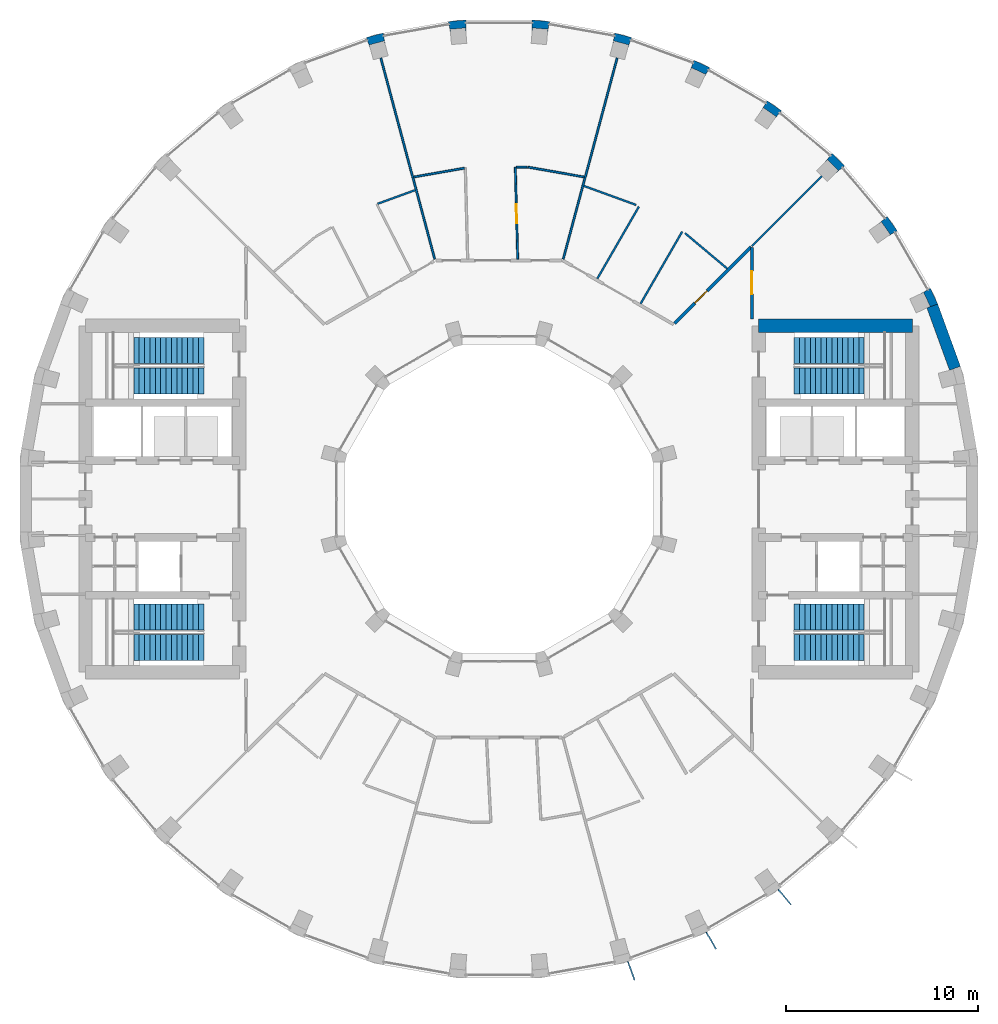
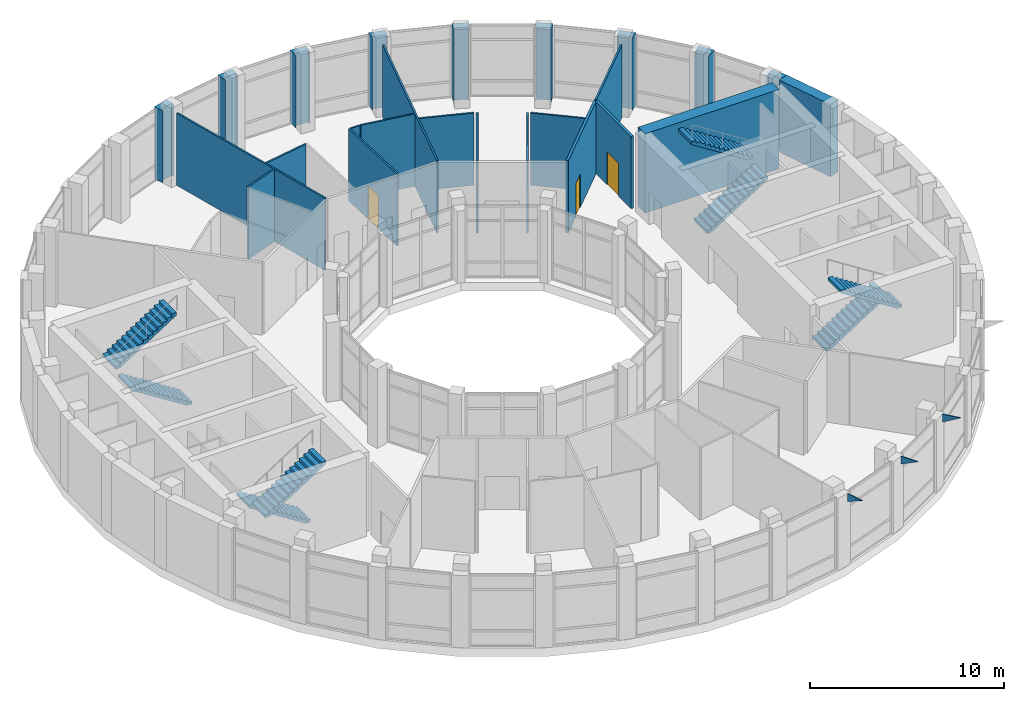
# One storey, part 15 of 18: 25 walls, 8 stair flights, 3 discrete accessories, 3 doors, 3 openings, 4 elements without a shape of their own.
"""IFC4 building model written with IfcOpenShell, lengths in metres."""

from ifc_helpers import new_model, si_unit, direction, frame, frame_2d, origin, place, context, subcontext, project, spatial, polyline, rectangle, outline, extrude, material, layer, layer_set, type_object, element, fill, aggregate, save


model = new_model("IFC4")

# Units and contexts
model_context = context("Model", 3, precision=1e-05, world=origin(), true_north=direction((0.0, 1.0)))
body_context = subcontext(model_context, "Body", "Model", "MODEL_VIEW")
ifc_project = project(units=[si_unit("LENGTHUNIT", "METRE"), si_unit("AREAUNIT", "SQUARE_METRE"), si_unit("VOLUMEUNIT", "CUBIC_METRE"), si_unit("PLANEANGLEUNIT", "RADIAN"), si_unit("MASSUNIT", "GRAM", prefix="KILO")], contexts=[model_context])

# Site, building, storey
site_placement = place(None, origin())
site = spatial("IfcSite", under=ifc_project, at=site_placement, CompositionType="ELEMENT")
building_placement = place(site_placement, origin())
building = spatial("IfcBuilding", under=site, at=building_placement, Name="Saqina Gate Tower", CompositionType="ELEMENT")
storey_placement = place(building_placement, frame((0.0, 0.0, 155.800048828125)))
storey = spatial("IfcBuildingStorey", under=building, at=storey_placement, Name="L44", CompositionType="ELEMENT", Elevation=155.800048828125)

# Walls
ifc_material_1 = material(Name="Brick masonry (buff)", Category="masonry")
wall_type_1 = type_object("IfcWallType", Name="BRICK PIER COPING BUFF", PredefinedType="SOLIDWALL", material=ifc_material_1)
wall_1_placement = place(storey_placement, origin())
element("IfcWall", 1, at=wall_1_placement, inside=storey, type_object=wall_type_1, Name="Pier cap L44 column 3", PredefinedType="SOLIDWALL", context=body_context, shape_type="SweptSolid", body=[
    extrude(outline(polyline([(22.4306640625, 10.958740234375), (21.9111328125, 10.65869140625), (22.080810546875, 10.73779296875), (22.4189453125, 10.0126953125), (22.249267578125, 9.93359375), (22.81298828125, 10.138916015625), (22.4306640625, 10.958740234375)])), origin(), (0.0, 0.0, 1.0), 4.550048828125),
])
wall_2_placement = place(storey_placement, origin())
element("IfcWall", 2, at=wall_2_placement, inside=storey, type_object=wall_type_1, Name="Pier cap L44 column 4", PredefinedType="SOLIDWALL", context=body_context, shape_type="SweptSolid", body=[
    extrude(outline(polyline([(20.705810546875, 13.9462890625), (20.18701171875, 14.687255859375), (19.727294921875, 14.301513671875), (19.880859375, 14.408935546875), (20.339599609375, 13.753662109375), (20.186279296875, 13.646240234375), (20.705810546875, 13.9462890625)])), origin(), (0.0, 0.0, 1.0), 4.550048828125),
])
wall_3_placement = place(storey_placement, origin())
element("IfcWall", 3, at=wall_3_placement, inside=storey, type_object=wall_type_1, Name="Pier cap L44 column 5", PredefinedType="SOLIDWALL", context=body_context, shape_type="SweptSolid", body=[
    extrude(outline(polyline([(17.329833984375, 17.969482421875), (16.944091796875, 17.510009765625), (17.07666015625, 17.642333984375), (17.642333984375, 17.07666015625), (17.510009765625, 16.944091796875), (17.969482421875, 17.329833984375), (17.329833984375, 17.969482421875)])), origin(), (0.0, 0.0, 1.0), 4.550048828125),
])
wall_4_placement = place(storey_placement, origin())
element("IfcWall", 4, at=wall_4_placement, inside=storey, type_object=wall_type_1, Name="Pier cap L44 column 6", PredefinedType="SOLIDWALL", context=body_context, shape_type="SweptSolid", body=[
    extrude(outline(polyline([(14.687255859375, 20.18701171875), (13.9462890625, 20.705810546875), (13.646240234375, 20.186279296875), (13.753662109375, 20.339599609375), (14.408935546875, 19.880859375), (14.301513671875, 19.727294921875), (14.687255859375, 20.18701171875)])), origin(), (0.0, 0.0, 1.0), 4.550048828125),
])
wall_5_placement = place(storey_placement, origin())
element("IfcWall", 5, at=wall_5_placement, inside=storey, type_object=wall_type_1, Name="Pier cap L44 column 7", PredefinedType="SOLIDWALL", context=body_context, shape_type="SweptSolid", body=[
    extrude(outline(polyline([(10.138916015625, 22.81298828125), (9.93359375, 22.249267578125), (10.0126953125, 22.4189453125), (10.73779296875, 22.080810546875), (10.65869140625, 21.9111328125), (10.958740234375, 22.4306640625), (10.138916015625, 22.81298828125)])), origin(), (0.0, 0.0, 1.0), 4.550048828125),
])
wall_6_placement = place(storey_placement, origin())
element("IfcWall", 6, at=wall_6_placement, inside=storey, type_object=wall_type_1, Name="Pier cap L44 column 8", PredefinedType="SOLIDWALL", context=body_context, shape_type="SweptSolid", body=[
    extrude(outline(polyline([(6.0234375, 24.22705078125), (5.919189453125, 23.635986328125), (5.967529296875, 23.81689453125), (6.740478515625, 23.610107421875), (6.69189453125, 23.428955078125), (6.897216796875, 23.992919921875), (6.0234375, 24.22705078125)])), origin(), (0.0, 0.0, 1.0), 4.550048828125),
])
wall_7_placement = place(storey_placement, origin())
element("IfcWall", 7, at=wall_7_placement, inside=storey, type_object=wall_type_1, Name="Pier cap L44 column 9", PredefinedType="SOLIDWALL", context=body_context, shape_type="SweptSolid", body=[
    extrude(outline(polyline([(2.6259765625, 24.825927734375), (1.724853515625, 24.90478515625), (1.724853515625, 24.304931640625), (1.7412109375, 24.491455078125), (2.5380859375, 24.421630859375), (2.521728515625, 24.235107421875), (2.6259765625, 24.825927734375)])), origin(), (0.0, 0.0, 1.0), 4.550048828125),
])
wall_8_placement = place(storey_placement, origin())
element("IfcWall", 8, at=wall_8_placement, inside=storey, type_object=wall_type_1, Name="Pier cap L44 column 10", PredefinedType="SOLIDWALL", context=body_context, shape_type="SweptSolid", body=[
    extrude(outline(polyline([(-1.724853515625, 24.90478515625), (-2.6259765625, 24.825927734375), (-2.521728515625, 24.235107421875), (-2.5380859375, 24.421630859375), (-1.7412109375, 24.491455078125), (-1.724853515625, 24.304931640625), (-1.724853515625, 24.90478515625)])), origin(), (0.0, 0.0, 1.0), 4.550048828125),
])
wall_9_placement = place(storey_placement, origin())
element("IfcWall", 9, at=wall_9_placement, inside=storey, type_object=wall_type_1, Name="Pier cap L44 column 11", PredefinedType="SOLIDWALL", context=body_context, shape_type="SweptSolid", body=[
    extrude(outline(polyline([(-6.0234375, 24.22705078125), (-6.897216796875, 23.992919921875), (-6.69189453125, 23.428955078125), (-6.740478515625, 23.610107421875), (-5.967529296875, 23.81689453125), (-5.919189453125, 23.635986328125), (-6.0234375, 24.22705078125)])), origin(), (0.0, 0.0, 1.0), 4.550048828125),
])
ifc_material_2 = material(Name="Glazed ceramic tile (dark blue)", Category="ceramic")
ifc_layer_1 = layer(ifc_material_2, 0.60009765625)
ifc_layer_set_1 = layer_set([ifc_layer_1], Name="FW-TILE-CB")
wall_type_2 = type_object("IfcWallType", Name="FW-TILE-CB", PredefinedType="SOLIDWALL", material=ifc_layer_set_1)
wall_10_placement = place(storey_placement, frame((23.7109375, 6.79443359375, 0.0), z_axis=(0.0, 0.0, 1.0), x_axis=(-0.342032843455, 0.93968799822, 0.0)))
element("IfcWall", 10, at=wall_10_placement, inside=storey, type_object=wall_type_2, Name="Facade wall L44 facet 2", PredefinedType="SOLIDWALL", context=body_context, shape_type="SweptSolid", body=[
    extrude(rectangle(XDim=3.44970703125, YDim=0.60009765625, at=frame_2d((1.724853515625, 0.0))), origin(), (0.0, 0.0, 1.0), 4.550048828125),
])

# Wall, opening, door
ifc_material_3 = material(Name="Gypsum board on steel studs, 100 mm", Category="steel")
ifc_layer_2 = layer(ifc_material_3, 0.10009765625)
ifc_layer_set_2 = layer_set([ifc_layer_2], Name="SPECIAL PARTITION 100")
wall_type_3 = type_object("IfcWallType", Name="SPECIAL PARTITION 100", PredefinedType="PARTITIONING", material=ifc_layer_set_2)
wall_11_placement = place(storey_placement, frame((0.84912109375, 17.2548828125, 0.0), z_axis=(0.0, 0.0, 1.0), x_axis=(0.0261428648, -0.999658216902, 0.0)))
wall_11 = element("IfcWall", 11, at=wall_11_placement, inside=storey, type_object=wall_type_3, Name="PARTITION 002", PredefinedType="PARTITIONING", context=body_context, shape_type="SweptSolid", body=[
    extrude(rectangle(XDim=4.781494140625, YDim=0.10009765625, at=frame_2d((2.390625, 0.0))), origin(), (0.0, 0.0, 1.0), 4.550048828125),
])
opening_1_placement = place(wall_11_placement, frame((1.92822265625, 0.0, 0.0)))
opening_1 = element("IfcOpeningElement", 12, at=opening_1_placement, cuts=wall_11, Name="Opening L44-D06", PredefinedType="OPENING", context=body_context, shape_type="SweptSolid", body=[
    extrude(rectangle(XDim=1.0, YDim=2.10009765625, at=frame_2d((0.5, 1.050048828125))), frame((0.0, 0.06201171875, 0.0), z_axis=(0.0, -1.0, 0.0), x_axis=(1.0, 0.0, 0.0)), (0.0, 0.0, 1.0), 0.1240234375),
])
ifc_material_4 = material(Name="Timber door leaf", Category="wood")
door_type_1 = type_object("IfcDoorType", Name="SPECIAL DOOR 1000 TIMBER", OperationType="SINGLE_SWING_LEFT", PredefinedType="DOOR", material=ifc_material_4)
door_1_placement = place(opening_1_placement, frame((1.0, 0.0, 0.0), z_axis=(0.0, 0.0, 1.0), x_axis=(-1.0, 0.0, 0.0)))
door_1 = element("IfcDoor", 13, at=door_1_placement, inside=storey, type_object=door_type_1, Name="DOOR L44-D06", OperationType="SINGLE_SWING_LEFT", OverallHeight=2.10009765625, OverallWidth=1.0, PredefinedType="DOOR", context=body_context, shape_type="SweptSolid", body=[
    extrude(rectangle(XDim=1.0, YDim=2.10009765625, at=frame_2d((0.5, 1.050048828125))), frame((0.0, 0.02490234375, 0.0), z_axis=(0.0, -1.0, 0.0), x_axis=(1.0, 0.0, 0.0)), (0.0, 0.0, 1.0), 0.050048828125),
])
fill(opening_1, door_1)

# Walls
wall_12_placement = place(storey_placement, frame((-6.143798828125, 22.931396484375, 0.0), z_axis=(0.0, 0.0, 1.0), x_axis=(0.258715046682, -0.965953686582, 0.0)))
element("IfcWall", 14, at=wall_12_placement, inside=storey, type_object=wall_type_3, Name="PARTITION 005", PredefinedType="PARTITIONING", context=body_context, shape_type="SweptSolid", body=[
    extrude(rectangle(XDim=10.82763671875, YDim=0.10009765625, at=frame_2d((5.413818359375, 0.0))), origin(), (0.0, 0.0, 1.0), 4.550048828125),
])
wall_13_placement = place(storey_placement, frame((9.676025390625, 13.818115234375, 0.0), z_axis=(0.0, 0.0, 1.0), x_axis=(0.765988490515, -0.64285428551, 0.0)))
element("IfcWall", 15, at=wall_13_placement, inside=storey, type_object=wall_type_3, Name="PARTITION 016", PredefinedType="PARTITIONING", context=body_context, shape_type="SweptSolid", body=[
    extrude(rectangle(XDim=2.864990234375, YDim=0.10009765625, at=frame_2d((1.4326171875, 0.0))), origin(), (0.0, 0.0, 1.0), 4.550048828125),
])
wall_14_placement = place(storey_placement, frame((4.4130859375, 16.27685546875, 0.0), z_axis=(0.0, 0.0, 1.0), x_axis=(0.939768755, -0.341810893809, 0.0)))
element("IfcWall", 16, at=wall_14_placement, inside=storey, type_object=wall_type_3, Name="PARTITION 020", PredefinedType="PARTITIONING", context=body_context, shape_type="SweptSolid", body=[
    extrude(rectangle(XDim=2.889892578125, YDim=0.10009765625, at=frame_2d((1.44482421875, 0.0))), origin(), (0.0, 0.0, 1.0), 4.550048828125),
])
wall_15_placement = place(storey_placement, frame((1.510009765625, 17.2548828125, 0.0), z_axis=(0.0, 0.0, 1.0), x_axis=(0.984831536916, -0.173513238385, 0.0)))
element("IfcWall", 17, at=wall_15_placement, inside=storey, type_object=wall_type_3, Name="PARTITION 022", PredefinedType="PARTITIONING", context=body_context, shape_type="SweptSolid", body=[
    extrude(rectangle(XDim=2.96875, YDim=0.10009765625, at=frame_2d((1.484375, 0.0))), origin(), (0.0, 0.0, 1.0), 4.550048828125),
])
wall_16_placement = place(storey_placement, frame((0.89892578125, 17.2548828125, 0.0), z_axis=(0.0, 0.0, 1.0), x_axis=(1.0, 0.0, 0.0)))
element("IfcWall", 18, at=wall_16_placement, inside=storey, type_object=wall_type_3, Name="PARTITION 026", PredefinedType="PARTITIONING", context=body_context, shape_type="SweptSolid", body=[
    extrude(rectangle(XDim=0.56103515625, YDim=0.10009765625, at=frame_2d((0.280517578125, 0.0))), origin(), (0.0, 0.0, 1.0), 4.550048828125),
])
wall_17_placement = place(storey_placement, frame((-4.433837890625, 16.73974609375, 0.0), z_axis=(0.0, 0.0, 1.0), x_axis=(0.984855167118, 0.173379063906, 0.0)))
element("IfcWall", 19, at=wall_17_placement, inside=storey, type_object=wall_type_3, Name="PARTITION 028", PredefinedType="PARTITIONING", context=body_context, shape_type="SweptSolid", body=[
    extrude(rectangle(XDim=2.674072265625, YDim=0.10009765625, at=frame_2d((1.3369140625, 0.0))), origin(), (0.0, 0.0, 1.0), 4.550048828125),
])
wall_18_placement = place(storey_placement, frame((-6.305908203125, 15.34912109375, 0.0), z_axis=(0.0, 0.0, 1.0), x_axis=(0.939748778635, 0.341865811474, 0.0)))
element("IfcWall", 20, at=wall_18_placement, inside=storey, type_object=wall_type_3, Name="PARTITION 030", PredefinedType="PARTITIONING", context=body_context, shape_type="SweptSolid", body=[
    extrude(rectangle(XDim=2.075927734375, YDim=0.10009765625, at=frame_2d((1.0380859375, 0.0))), origin(), (0.0, 0.0, 1.0), 4.550048828125),
])
wall_19_placement = place(storey_placement, frame((13.14990234375, 13.14990234375, 0.0), z_axis=(0.0, 0.0, 1.0), x_axis=(0.707106781187, 0.707106781187, 0.0)))
element("IfcWall", 21, at=wall_19_placement, inside=storey, type_object=wall_type_3, Name="PARTITION 037", PredefinedType="PARTITIONING", context=body_context, shape_type="SweptSolid", body=[
    extrude(rectangle(XDim=5.14306640625, YDim=0.10009765625, at=frame_2d((2.571533203125, 0.0))), origin(), (0.0, 0.0, 1.0), 4.550048828125),
])
wall_20_placement = place(storey_placement, frame((7.363525390625, 10.153076171875, 0.0), z_axis=(0.0, 0.0, 1.0), x_axis=(0.499911184982, 0.866076675087, 0.0)))
element("IfcWall", 22, at=wall_20_placement, inside=storey, type_object=wall_type_3, Name="PARTITION 041", PredefinedType="PARTITIONING", context=body_context, shape_type="SweptSolid", body=[
    extrude(rectangle(XDim=4.329833984375, YDim=0.10009765625, at=frame_2d((2.1650390625, 0.0))), origin(), (0.0, 0.0, 1.0), 4.550048828125),
])
wall_21_placement = place(storey_placement, frame((5.111572265625, 11.453857421875, 0.0), z_axis=(0.0, 0.0, 1.0), x_axis=(0.500178009373, 0.865922605629, 0.0)))
element("IfcWall", 23, at=wall_21_placement, inside=storey, type_object=wall_type_3, Name="PARTITION 043", PredefinedType="PARTITIONING", context=body_context, shape_type="SweptSolid", body=[
    extrude(rectangle(XDim=4.32958984375, YDim=0.10009765625, at=frame_2d((2.164794921875, 0.0))), origin(), (0.0, 0.0, 1.0), 4.550048828125),
])
wall_22_placement = place(storey_placement, frame((3.34228515625, 12.472412109375, 0.0), z_axis=(0.0, 0.0, 1.0), x_axis=(0.258741720617, 0.965946542005, 0.0)))
element("IfcWall", 24, at=wall_22_placement, inside=storey, type_object=wall_type_3, Name="PARTITION 045", PredefinedType="PARTITIONING", context=body_context, shape_type="SweptSolid", body=[
    extrude(rectangle(XDim=10.827392578125, YDim=0.10009765625, at=frame_2d((5.41357421875, 0.0))), origin(), (0.0, 0.0, 1.0), 4.550048828125),
])

# Wall, opening, door
ifc_material_5 = material(Name="Gypsum board on steel studs, 150 mm, fire rated", Category="steel")
ifc_layer_3 = layer(ifc_material_5, 0.14990234375)
ifc_layer_set_3 = layer_set([ifc_layer_3], Name="SPECIAL PARTITION EI 30 150")
wall_type_4 = type_object("IfcWallType", Name="SPECIAL PARTITION EI 30 150", PredefinedType="PARTITIONING", material=ifc_layer_set_3)
wall_23_placement = place(storey_placement, frame((9.1298828125, 9.1298828125, 0.0), z_axis=(0.0, 0.0, 1.0), x_axis=(0.707106781187, 0.707106781187, 0.0)))
wall_23 = element("IfcWall", 25, at=wall_23_placement, inside=storey, type_object=wall_type_4, Name="PARTITION 039", PredefinedType="PARTITIONING", context=body_context, shape_type="SweptSolid", body=[
    extrude(rectangle(XDim=5.635009765625, YDim=0.14990234375, at=frame_2d((2.8173828125, 0.0))), origin(), (0.0, 0.0, 1.0), 4.550048828125),
])
opening_2_placement = place(wall_23_placement, frame((1.490966796875, 0.0, 0.0)))
opening_2 = element("IfcOpeningElement", 26, at=opening_2_placement, cuts=wall_23, Name="Opening L44-D02", PredefinedType="OPENING", context=body_context, shape_type="SweptSolid", body=[
    extrude(rectangle(XDim=0.89990234375, YDim=2.10009765625, at=frame_2d((0.449951171875, 1.050048828125))), frame((0.0, 0.0869140625, 0.0), z_axis=(0.0, -1.0, 0.0), x_axis=(1.0, 0.0, 0.0)), (0.0, 0.0, 1.0), 0.173828125),
])
ifc_material_6 = material(Name="Steel-framed fire door leaf, EI 30", Category="steel")
door_type_2 = type_object("IfcDoorType", Name="SPECIAL DOOR 900 FIRE EI 30", OperationType="SINGLE_SWING_LEFT", PredefinedType="DOOR", material=ifc_material_6)
door_2_placement = place(opening_2_placement, origin())
door_2 = element("IfcDoor", 27, at=door_2_placement, inside=storey, type_object=door_type_2, Name="DOOR L44-D02", OperationType="SINGLE_SWING_LEFT", OverallHeight=2.10009765625, OverallWidth=0.89990234375, PredefinedType="DOOR", context=body_context, shape_type="SweptSolid", body=[
    extrude(rectangle(XDim=0.89990234375, YDim=2.10009765625, at=frame_2d((0.449951171875, 1.050048828125))), frame((0.0, 0.02490234375, 0.0), z_axis=(0.0, -1.0, 0.0), x_axis=(1.0, 0.0, 0.0)), (0.0, 0.0, 1.0), 0.050048828125),
])
fill(opening_2, door_2)

wall_24_placement = place(storey_placement, frame((13.14990234375, 9.35009765625, 0.0), z_axis=(0.0, 0.0, 1.0), x_axis=(0.0, 1.0, 0.0)))
wall_24 = element("IfcWall", 28, at=wall_24_placement, inside=storey, type_object=wall_type_4, Name="PARTITION 047", PredefinedType="PARTITIONING", context=body_context, shape_type="SweptSolid", body=[
    extrude(rectangle(XDim=3.724853515625, YDim=0.14990234375, at=frame_2d((1.8623046875, 0.0))), origin(), (0.0, 0.0, 1.0), 4.550048828125),
])
opening_3_placement = place(wall_24_placement, frame((1.300048828125, 0.0, 0.0)))
opening_3 = element("IfcOpeningElement", 29, at=opening_3_placement, cuts=wall_24, Name="Opening L44-D01", PredefinedType="OPENING", context=body_context, shape_type="SweptSolid", body=[
    extrude(rectangle(XDim=1.199951171875, YDim=2.10009765625, at=frame_2d((0.60009765625, 1.050048828125))), frame((0.0, 0.0869140625, 0.0), z_axis=(0.0, -1.0, 0.0), x_axis=(1.0, 0.0, 0.0)), (0.0, 0.0, 1.0), 0.173828125),
])
ifc_material_7 = material(Name="Steel-framed fire door leaf, EI 30", Category="steel")
door_type_3 = type_object("IfcDoorType", Name="SPECIAL DOOR 1200 FIRE EI 30", OperationType="SINGLE_SWING_LEFT", PredefinedType="DOOR", material=ifc_material_7)
door_3_placement = place(opening_3_placement, frame((1.199951171875, 0.0, 0.0), z_axis=(0.0, 0.0, 1.0), x_axis=(-1.0, 0.0, 0.0)))
door_3 = element("IfcDoor", 30, at=door_3_placement, inside=storey, type_object=door_type_3, Name="DOOR L44-D01", OperationType="SINGLE_SWING_LEFT", OverallHeight=2.10009765625, OverallWidth=1.199951171875, PredefinedType="DOOR", context=body_context, shape_type="SweptSolid", body=[
    extrude(rectangle(XDim=1.199951171875, YDim=2.10009765625, at=frame_2d((0.60009765625, 1.050048828125))), frame((0.0, 0.02490234375, 0.0), z_axis=(0.0, -1.0, 0.0), x_axis=(1.0, 0.0, 0.0)), (0.0, 0.0, 1.0), 0.050048828125),
])
fill(opening_3, door_3)

# Wall
ifc_material_8 = material(Name="Concrete C60/75", Category="concrete")
ifc_layer_4 = layer(ifc_material_8, 0.699951171875)
ifc_layer_set_4 = layer_set([ifc_layer_4], Name="Concrete C60/75")
wall_type_5 = type_object("IfcWallType", Name="STR-CORE WALL-C-O", PredefinedType="SHEAR", material=ifc_layer_set_4)
wall_25_placement = place(storey_placement, frame((13.5, 9.0, 0.0), z_axis=(0.0, 0.0, 1.0), x_axis=(1.0, 0.0, 0.0)))
element("IfcWall", 31, at=wall_25_placement, inside=storey, type_object=wall_type_5, Name="CORE WALL L44 E-NE", PredefinedType="SHEAR", context=body_context, shape_type="SweptSolid", body=[
    extrude(rectangle(XDim=8.0, YDim=0.699951171875, at=frame_2d((4.0, 0.0))), origin(), (0.0, 0.0, 1.0), 5.0),
])

# Stair, stair flights
ifc_material_9 = material(Name="Concrete C40/50", Category="concrete")
stair_type = type_object("IfcStairType", Name="EXIT STAIR", PredefinedType="HALF_TURN_STAIR", material=ifc_material_9)
stair_1_placement = place(storey_placement, origin())
stair_1 = element("IfcStair", 32, at=stair_1_placement, inside=storey, type_object=stair_type, Name="EXIT STAIR 1", PredefinedType="HALF_TURN_STAIR")
ifc_material_10 = material(Name="Concrete C40/50", Category="concrete")
stair_flight_type = type_object("IfcStairFlightType", Name="EXIT STAIR FLIGHT", PredefinedType="STRAIGHT", material=ifc_material_10)
stair_flight_1_placement = place(storey_placement, frame((15.35009765625, 6.125, 0.0), z_axis=(0.0, 0.0, 1.0), x_axis=(1.0, 0.0, 0.0)))
stair_flight_1 = element("IfcStairFlight", 33, at=stair_flight_1_placement, type_object=stair_flight_type, Name="EXIT STAIR 1 FLIGHT 1", NumberOfRisers=14, NumberOfTreads=13, PredefinedType="STRAIGHT", RiserHeight=0.178571429, TreadLength=0.28, context=body_context, shape_type="SweptSolid", body=[
    extrude(outline(polyline([(0.0, 0.0), (0.0, 0.178466796875), (0.280029296875, 0.178466796875), (0.280029296875, 0.357177734375), (0.56005859375, 0.357177734375), (0.56005859375, 0.53564453125), (0.840087890625, 0.53564453125), (0.840087890625, 0.71435546875), (1.1201171875, 0.71435546875), (1.1201171875, 0.892822265625), (1.39990234375, 0.892822265625), (1.39990234375, 1.071533203125), (1.679931640625, 1.071533203125), (1.679931640625, 1.25), (1.9599609375, 1.25), (1.9599609375, 1.428466796875), (2.239990234375, 1.428466796875), (2.239990234375, 1.607177734375), (2.52001953125, 1.607177734375), (2.52001953125, 1.78564453125), (2.800048828125, 1.78564453125), (2.800048828125, 1.96435546875), (3.080078125, 1.96435546875), (3.080078125, 2.142822265625), (3.360107421875, 2.142822265625), (3.360107421875, 2.321533203125), (3.639892578125, 2.321533203125), (3.639892578125, 2.5), (3.639892578125, 2.1435546875), (0.27880859375, 0.0), (0.0, 0.0)])), frame((0.0, 0.675048828125, 0.0), z_axis=(0.0, -1.0, 0.0), x_axis=(1.0, 0.0, 0.0)), (0.0, 0.0, 1.0), 1.35009765625),
])
stair_flight_2_placement = place(storey_placement, frame((18.989990234375, 7.72509765625, 2.5), z_axis=(0.0, 0.0, 1.0), x_axis=(-1.0, 0.0, 0.0)))
stair_flight_2 = element("IfcStairFlight", 34, at=stair_flight_2_placement, type_object=stair_flight_type, Name="EXIT STAIR 1 FLIGHT 2", NumberOfRisers=14, NumberOfTreads=13, PredefinedType="STRAIGHT", RiserHeight=0.178571429, TreadLength=0.28, context=body_context, shape_type="SweptSolid", body=[
    extrude(outline(polyline([(0.0, 0.0), (0.0, 0.178466796875), (0.280029296875, 0.178466796875), (0.280029296875, 0.357177734375), (0.56005859375, 0.357177734375), (0.56005859375, 0.53564453125), (0.840087890625, 0.53564453125), (0.840087890625, 0.71435546875), (1.1201171875, 0.71435546875), (1.1201171875, 0.892822265625), (1.39990234375, 0.892822265625), (1.39990234375, 1.071533203125), (1.679931640625, 1.071533203125), (1.679931640625, 1.25), (1.9599609375, 1.25), (1.9599609375, 1.428466796875), (2.239990234375, 1.428466796875), (2.239990234375, 1.607177734375), (2.52001953125, 1.607177734375), (2.52001953125, 1.78564453125), (2.800048828125, 1.78564453125), (2.800048828125, 1.96435546875), (3.080078125, 1.96435546875), (3.080078125, 2.142822265625), (3.360107421875, 2.142822265625), (3.360107421875, 2.321533203125), (3.639892578125, 2.321533203125), (3.639892578125, 2.5), (3.639892578125, 2.1435546875), (0.27880859375, 0.0), (0.0, 0.0)])), frame((0.0, 0.675048828125, 0.0), z_axis=(0.0, -1.0, 0.0), x_axis=(1.0, 0.0, 0.0)), (0.0, 0.0, 1.0), 1.35009765625),
])
aggregate(stair_1, [stair_flight_1, stair_flight_2])

stair_2_placement = place(storey_placement, origin())
stair_2 = element("IfcStair", 35, at=stair_2_placement, inside=storey, type_object=stair_type, Name="EXIT STAIR 2", PredefinedType="HALF_TURN_STAIR")
stair_flight_3_placement = place(storey_placement, frame((15.35009765625, -6.125, 0.0), z_axis=(0.0, 0.0, 1.0), x_axis=(1.0, 0.0, 0.0)))
stair_flight_3 = element("IfcStairFlight", 36, at=stair_flight_3_placement, type_object=stair_flight_type, Name="EXIT STAIR 2 FLIGHT 1", NumberOfRisers=14, NumberOfTreads=13, PredefinedType="STRAIGHT", RiserHeight=0.178571429, TreadLength=0.28, context=body_context, shape_type="SweptSolid", body=[
    extrude(outline(polyline([(0.0, 0.0), (0.0, 0.178466796875), (0.280029296875, 0.178466796875), (0.280029296875, 0.357177734375), (0.56005859375, 0.357177734375), (0.56005859375, 0.53564453125), (0.840087890625, 0.53564453125), (0.840087890625, 0.71435546875), (1.1201171875, 0.71435546875), (1.1201171875, 0.892822265625), (1.39990234375, 0.892822265625), (1.39990234375, 1.071533203125), (1.679931640625, 1.071533203125), (1.679931640625, 1.25), (1.9599609375, 1.25), (1.9599609375, 1.428466796875), (2.239990234375, 1.428466796875), (2.239990234375, 1.607177734375), (2.52001953125, 1.607177734375), (2.52001953125, 1.78564453125), (2.800048828125, 1.78564453125), (2.800048828125, 1.96435546875), (3.080078125, 1.96435546875), (3.080078125, 2.142822265625), (3.360107421875, 2.142822265625), (3.360107421875, 2.321533203125), (3.639892578125, 2.321533203125), (3.639892578125, 2.5), (3.639892578125, 2.1435546875), (0.27880859375, 0.0), (0.0, 0.0)])), frame((0.0, 0.675048828125, 0.0), z_axis=(0.0, -1.0, 0.0), x_axis=(1.0, 0.0, 0.0)), (0.0, 0.0, 1.0), 1.35009765625),
])
stair_flight_4_placement = place(storey_placement, frame((18.989990234375, -7.72509765625, 2.5), z_axis=(0.0, 0.0, 1.0), x_axis=(-1.0, 0.0, 0.0)))
stair_flight_4 = element("IfcStairFlight", 37, at=stair_flight_4_placement, type_object=stair_flight_type, Name="EXIT STAIR 2 FLIGHT 2", NumberOfRisers=14, NumberOfTreads=13, PredefinedType="STRAIGHT", RiserHeight=0.178571429, TreadLength=0.28, context=body_context, shape_type="SweptSolid", body=[
    extrude(outline(polyline([(0.0, 0.0), (0.0, 0.178466796875), (0.280029296875, 0.178466796875), (0.280029296875, 0.357177734375), (0.56005859375, 0.357177734375), (0.56005859375, 0.53564453125), (0.840087890625, 0.53564453125), (0.840087890625, 0.71435546875), (1.1201171875, 0.71435546875), (1.1201171875, 0.892822265625), (1.39990234375, 0.892822265625), (1.39990234375, 1.071533203125), (1.679931640625, 1.071533203125), (1.679931640625, 1.25), (1.9599609375, 1.25), (1.9599609375, 1.428466796875), (2.239990234375, 1.428466796875), (2.239990234375, 1.607177734375), (2.52001953125, 1.607177734375), (2.52001953125, 1.78564453125), (2.800048828125, 1.78564453125), (2.800048828125, 1.96435546875), (3.080078125, 1.96435546875), (3.080078125, 2.142822265625), (3.360107421875, 2.142822265625), (3.360107421875, 2.321533203125), (3.639892578125, 2.321533203125), (3.639892578125, 2.5), (3.639892578125, 2.1435546875), (0.27880859375, 0.0), (0.0, 0.0)])), frame((0.0, 0.675048828125, 0.0), z_axis=(0.0, -1.0, 0.0), x_axis=(1.0, 0.0, 0.0)), (0.0, 0.0, 1.0), 1.35009765625),
])
aggregate(stair_2, [stair_flight_3, stair_flight_4])

stair_3_placement = place(storey_placement, origin())
stair_3 = element("IfcStair", 38, at=stair_3_placement, inside=storey, type_object=stair_type, Name="EXIT STAIR 3", PredefinedType="HALF_TURN_STAIR")
stair_flight_5_placement = place(storey_placement, frame((-15.35009765625, 6.125, 0.0), z_axis=(0.0, 0.0, 1.0), x_axis=(-1.0, 0.0, 0.0)))
stair_flight_5 = element("IfcStairFlight", 39, at=stair_flight_5_placement, type_object=stair_flight_type, Name="EXIT STAIR 3 FLIGHT 1", NumberOfRisers=14, NumberOfTreads=13, PredefinedType="STRAIGHT", RiserHeight=0.178571429, TreadLength=0.28, context=body_context, shape_type="SweptSolid", body=[
    extrude(outline(polyline([(0.0, 0.0), (0.0, 0.178466796875), (0.280029296875, 0.178466796875), (0.280029296875, 0.357177734375), (0.56005859375, 0.357177734375), (0.56005859375, 0.53564453125), (0.840087890625, 0.53564453125), (0.840087890625, 0.71435546875), (1.1201171875, 0.71435546875), (1.1201171875, 0.892822265625), (1.39990234375, 0.892822265625), (1.39990234375, 1.071533203125), (1.679931640625, 1.071533203125), (1.679931640625, 1.25), (1.9599609375, 1.25), (1.9599609375, 1.428466796875), (2.239990234375, 1.428466796875), (2.239990234375, 1.607177734375), (2.52001953125, 1.607177734375), (2.52001953125, 1.78564453125), (2.800048828125, 1.78564453125), (2.800048828125, 1.96435546875), (3.080078125, 1.96435546875), (3.080078125, 2.142822265625), (3.360107421875, 2.142822265625), (3.360107421875, 2.321533203125), (3.639892578125, 2.321533203125), (3.639892578125, 2.5), (3.639892578125, 2.1435546875), (0.27880859375, 0.0), (0.0, 0.0)])), frame((0.0, 0.675048828125, 0.0), z_axis=(0.0, -1.0, 0.0), x_axis=(1.0, 0.0, 0.0)), (0.0, 0.0, 1.0), 1.35009765625),
])
stair_flight_6_placement = place(storey_placement, frame((-18.989990234375, 7.72509765625, 2.5), z_axis=(0.0, 0.0, 1.0), x_axis=(1.0, 0.0, 0.0)))
stair_flight_6 = element("IfcStairFlight", 40, at=stair_flight_6_placement, type_object=stair_flight_type, Name="EXIT STAIR 3 FLIGHT 2", NumberOfRisers=14, NumberOfTreads=13, PredefinedType="STRAIGHT", RiserHeight=0.178571429, TreadLength=0.28, context=body_context, shape_type="SweptSolid", body=[
    extrude(outline(polyline([(0.0, 0.0), (0.0, 0.178466796875), (0.280029296875, 0.178466796875), (0.280029296875, 0.357177734375), (0.56005859375, 0.357177734375), (0.56005859375, 0.53564453125), (0.840087890625, 0.53564453125), (0.840087890625, 0.71435546875), (1.1201171875, 0.71435546875), (1.1201171875, 0.892822265625), (1.39990234375, 0.892822265625), (1.39990234375, 1.071533203125), (1.679931640625, 1.071533203125), (1.679931640625, 1.25), (1.9599609375, 1.25), (1.9599609375, 1.428466796875), (2.239990234375, 1.428466796875), (2.239990234375, 1.607177734375), (2.52001953125, 1.607177734375), (2.52001953125, 1.78564453125), (2.800048828125, 1.78564453125), (2.800048828125, 1.96435546875), (3.080078125, 1.96435546875), (3.080078125, 2.142822265625), (3.360107421875, 2.142822265625), (3.360107421875, 2.321533203125), (3.639892578125, 2.321533203125), (3.639892578125, 2.5), (3.639892578125, 2.1435546875), (0.27880859375, 0.0), (0.0, 0.0)])), frame((0.0, 0.675048828125, 0.0), z_axis=(0.0, -1.0, 0.0), x_axis=(1.0, 0.0, 0.0)), (0.0, 0.0, 1.0), 1.35009765625),
])
aggregate(stair_3, [stair_flight_5, stair_flight_6])

stair_4_placement = place(storey_placement, origin())
stair_4 = element("IfcStair", 41, at=stair_4_placement, inside=storey, type_object=stair_type, Name="EXIT STAIR 4", PredefinedType="HALF_TURN_STAIR")
stair_flight_7_placement = place(storey_placement, frame((-15.35009765625, -6.125, 0.0), z_axis=(0.0, 0.0, 1.0), x_axis=(-1.0, 0.0, 0.0)))
stair_flight_7 = element("IfcStairFlight", 42, at=stair_flight_7_placement, type_object=stair_flight_type, Name="EXIT STAIR 4 FLIGHT 1", NumberOfRisers=14, NumberOfTreads=13, PredefinedType="STRAIGHT", RiserHeight=0.178571429, TreadLength=0.28, context=body_context, shape_type="SweptSolid", body=[
    extrude(outline(polyline([(0.0, 0.0), (0.0, 0.178466796875), (0.280029296875, 0.178466796875), (0.280029296875, 0.357177734375), (0.56005859375, 0.357177734375), (0.56005859375, 0.53564453125), (0.840087890625, 0.53564453125), (0.840087890625, 0.71435546875), (1.1201171875, 0.71435546875), (1.1201171875, 0.892822265625), (1.39990234375, 0.892822265625), (1.39990234375, 1.071533203125), (1.679931640625, 1.071533203125), (1.679931640625, 1.25), (1.9599609375, 1.25), (1.9599609375, 1.428466796875), (2.239990234375, 1.428466796875), (2.239990234375, 1.607177734375), (2.52001953125, 1.607177734375), (2.52001953125, 1.78564453125), (2.800048828125, 1.78564453125), (2.800048828125, 1.96435546875), (3.080078125, 1.96435546875), (3.080078125, 2.142822265625), (3.360107421875, 2.142822265625), (3.360107421875, 2.321533203125), (3.639892578125, 2.321533203125), (3.639892578125, 2.5), (3.639892578125, 2.1435546875), (0.27880859375, 0.0), (0.0, 0.0)])), frame((0.0, 0.675048828125, 0.0), z_axis=(0.0, -1.0, 0.0), x_axis=(1.0, 0.0, 0.0)), (0.0, 0.0, 1.0), 1.35009765625),
])
stair_flight_8_placement = place(storey_placement, frame((-18.989990234375, -7.72509765625, 2.5), z_axis=(0.0, 0.0, 1.0), x_axis=(1.0, 0.0, 0.0)))
stair_flight_8 = element("IfcStairFlight", 43, at=stair_flight_8_placement, type_object=stair_flight_type, Name="EXIT STAIR 4 FLIGHT 2", NumberOfRisers=14, NumberOfTreads=13, PredefinedType="STRAIGHT", RiserHeight=0.178571429, TreadLength=0.28, context=body_context, shape_type="SweptSolid", body=[
    extrude(outline(polyline([(0.0, 0.0), (0.0, 0.178466796875), (0.280029296875, 0.178466796875), (0.280029296875, 0.357177734375), (0.56005859375, 0.357177734375), (0.56005859375, 0.53564453125), (0.840087890625, 0.53564453125), (0.840087890625, 0.71435546875), (1.1201171875, 0.71435546875), (1.1201171875, 0.892822265625), (1.39990234375, 0.892822265625), (1.39990234375, 1.071533203125), (1.679931640625, 1.071533203125), (1.679931640625, 1.25), (1.9599609375, 1.25), (1.9599609375, 1.428466796875), (2.239990234375, 1.428466796875), (2.239990234375, 1.607177734375), (2.52001953125, 1.607177734375), (2.52001953125, 1.78564453125), (2.800048828125, 1.78564453125), (2.800048828125, 1.96435546875), (3.080078125, 1.96435546875), (3.080078125, 2.142822265625), (3.360107421875, 2.142822265625), (3.360107421875, 2.321533203125), (3.639892578125, 2.321533203125), (3.639892578125, 2.5), (3.639892578125, 2.1435546875), (0.27880859375, 0.0), (0.0, 0.0)])), frame((0.0, 0.675048828125, 0.0), z_axis=(0.0, -1.0, 0.0), x_axis=(1.0, 0.0, 0.0)), (0.0, 0.0, 1.0), 1.35009765625),
])
aggregate(stair_4, [stair_flight_7, stair_flight_8])

# Discrete accessories
ifc_material_11 = material(Name="Galvanised steel", Category="steel")
ifc_layer_5 = layer(ifc_material_11, 0.050048828125)
ifc_layer_set_5 = layer_set([ifc_layer_5], Name="BR-GUSSET")
discrete_accessory_type = type_object("IfcDiscreteAccessoryType", Name="BR-GUSSET", PredefinedType="BRACKET", material=ifc_layer_set_5)
discrete_accessory_1_placement = place(storey_placement, frame((6.72900390625, -24.05419921875, 4.050048828125), z_axis=(0.939764905391, 0.341821477669, 0.0), x_axis=(0.0, 0.0, 1.0)))
element("IfcDiscreteAccessory", 44, at=discrete_accessory_1_placement, inside=storey, type_object=discrete_accessory_type, Name="Terrace slab bracket L45 1", PredefinedType="BRACKET", context=body_context, shape_type="SweptSolid", body=[
    extrude(outline(polyline([(0.0, 0.0), (0.5, 0.0), (0.5, 0.999928024801219), (0.0, 0.0)])), origin(), (0.0, 0.0, -1.0), 0.050048828125),
])
discrete_accessory_2_placement = place(storey_placement, frame((10.8037109375, -22.520263671875, 4.050048828125), z_axis=(0.866010750942, 0.50002537861, 0.0), x_axis=(0.0, 0.0, 1.0)))
element("IfcDiscreteAccessory", 45, at=discrete_accessory_2_placement, inside=storey, type_object=discrete_accessory_type, Name="Terrace slab bracket L45 2", PredefinedType="BRACKET", context=body_context, shape_type="SweptSolid", body=[
    extrude(outline(polyline([(0.0, 0.0), (0.5, 0.0), (0.5, 0.9999492453569568), (0.0, 0.0)])), origin(), (0.0, 0.0, -1.0), 0.050048828125),
])
discrete_accessory_3_placement = place(storey_placement, frame((14.550048828125, -20.302001953125, 4.050048828125), z_axis=(0.766055819685, 0.64277405138, 0.0), x_axis=(0.0, 0.0, 1.0)))
element("IfcDiscreteAccessory", 46, at=discrete_accessory_3_placement, inside=storey, type_object=discrete_accessory_type, Name="Terrace slab bracket L45 3", PredefinedType="BRACKET", context=body_context, shape_type="SweptSolid", body=[
    extrude(outline(polyline([(0.0, 0.0), (0.5, 0.0), (0.5, 1.0000750096322275), (0.0, 0.0)])), origin(), (0.0, 0.0, -1.0), 0.050048828125),
])

save(model, "model.ifc")
